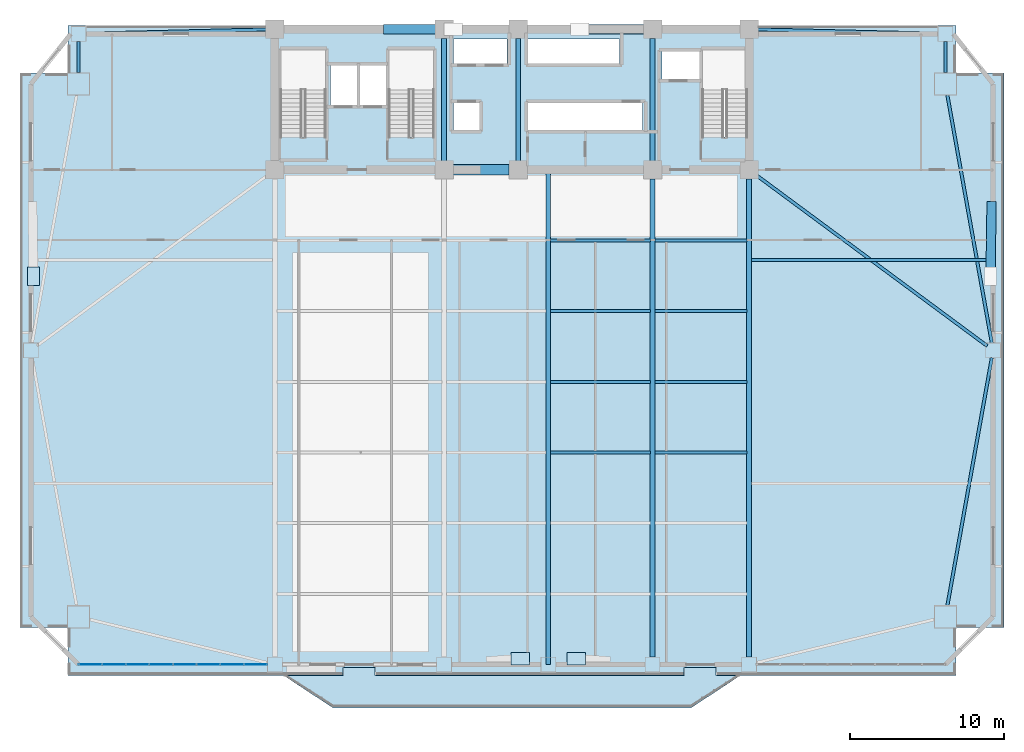
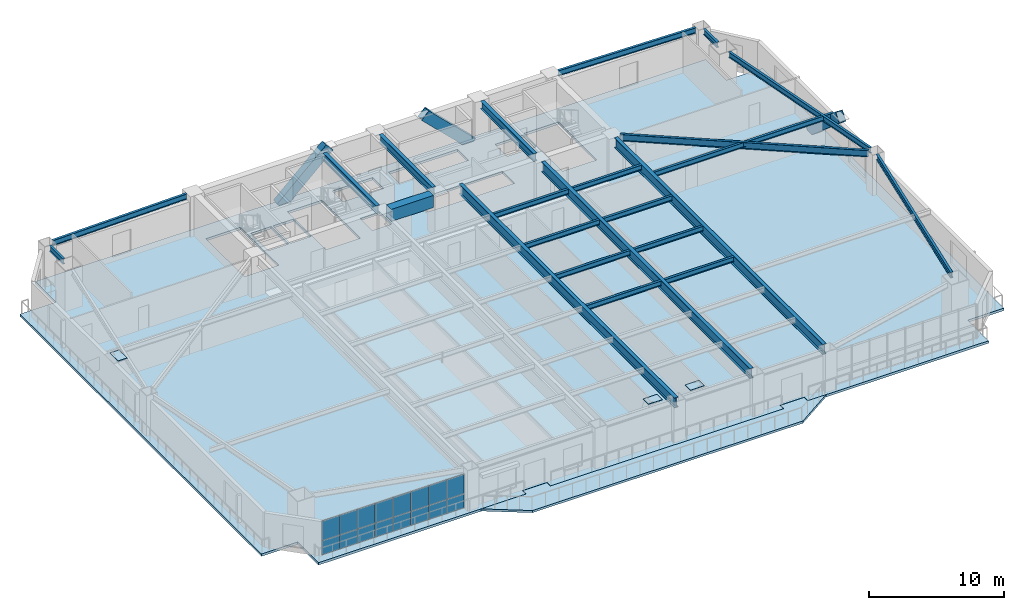
# One storey, part 6 of 16: 23 beams, 19 plates, 3 members, 2 slabs, 1 element without a shape of its own.
"""IFC4 building model written with IfcOpenShell, lengths in metres."""

import ifcopenshell
import ifcopenshell.guid

model = None  # the IFC model being written
_history = None  # IfcOwnerHistory: only IFC2X3 demands one
_inside = {}  # id of a spatial element -> (the spatial element, [elements in it])
_under = {}  # id of a project, library or spatial element -> (it, [spatial elements below it])
_declared = {}  # id of a project -> (the project, [libraries it declares])
_typed = {}  # id of a type object -> (the type object, [elements of that type])
_made_of = {}  # id of a material, layer set ... -> (it, [elements and type objects made of it])


def new_model(schema):
    """Start an empty IFC model of exactly this schema.

    Asked for "IFC4X3", IfcOpenShell would pick the latest addendum, in which some entities
    have other attributes; the version numbers below select the first issue.
    IFC2X3 requires an IfcOwnerHistory on every rooted entity: one is made here for all.
    """
    global model, _history
    if schema == "IFC4X3":
        model = ifcopenshell.file(schema_version=(4, 3, 0, 0))
    else:
        model = ifcopenshell.file(schema=schema)
    _inside.clear()
    _under.clear()
    _declared.clear()
    _typed.clear()
    _made_of.clear()
    _history = None
    if model.schema == "IFC2X3":
        org = make("IfcOrganization", Name="unknown")
        user = make(
            "IfcPersonAndOrganization",
            ThePerson=make("IfcPerson", FamilyName="unknown"),
            TheOrganization=org,
        )
        app = make(
            "IfcApplication",
            ApplicationDeveloper=org,
            Version="unknown",
            ApplicationFullName="unknown",
            ApplicationIdentifier="unknown",
        )
        _history = make(
            "IfcOwnerHistory",
            OwningUser=user,
            OwningApplication=app,
            ChangeAction="ADDED",
            CreationDate=0,
        )
    return model


def make(cls, **values):
    """One entity of the class cls with the attributes given. An attribute that is None is left unset."""
    return model.create_entity(
        cls, **{name: value for name, value in values.items() if value is not None}
    )


def rooted(cls, **values):
    """An entity with a GlobalId (a new one), such as an element, a storey or a relation."""
    return make(cls, GlobalId=ifcopenshell.guid.new(), OwnerHistory=_history, **values)


def si_unit(unit_type, name, prefix=None):
    """IfcSIUnit, for example si_unit("LENGTHUNIT", "METRE", prefix="MILLI")."""
    return make("IfcSIUnit", UnitType=unit_type, Prefix=prefix, Name=name)


def assignment(units):
    """IfcUnitAssignment: the units of a project."""
    return None if units is None else make("IfcUnitAssignment", Units=units)


def point(xyz):
    """IfcCartesianPoint."""
    return None if xyz is None else make("IfcCartesianPoint", Coordinates=xyz)


def direction(xyz):
    """IfcDirection."""
    return None if xyz is None else make("IfcDirection", DirectionRatios=xyz)


def frame(location, z_axis=None, x_axis=None):
    """IfcAxis2Placement3D, a coordinate frame: its origin and axes. An axis left out is left unset."""
    return make(
        "IfcAxis2Placement3D",
        Location=point(location),
        Axis=direction(z_axis),
        RefDirection=direction(x_axis),
    )


def frame_2d(location, x_axis=None):
    """IfcAxis2Placement2D, a coordinate frame in the plane: its origin and x axis."""
    return make(
        "IfcAxis2Placement2D", Location=point(location), RefDirection=direction(x_axis)
    )


def origin():
    """The frame at (0, 0, 0) with its axes left unset."""
    return frame((0.0, 0.0, 0.0))


def origin_2d():
    """The frame at (0, 0) in the plane with its x axis left unset."""
    return frame_2d((0.0, 0.0))


def place(relative_to, where):
    """IfcLocalPlacement: puts the frame where relative to a parent placement (None: the world)."""
    return make(
        "IfcLocalPlacement", PlacementRelTo=relative_to, RelativePlacement=where
    )


def context(
    kind, dimensions, precision=None, world=None, true_north=None, identifier=None
):
    """IfcGeometricRepresentationContext, for example the 3D "Model" context."""
    return make(
        "IfcGeometricRepresentationContext",
        ContextIdentifier=identifier,
        ContextType=kind,
        CoordinateSpaceDimension=dimensions,
        Precision=precision,
        WorldCoordinateSystem=world,
        TrueNorth=true_north,
    )


def subcontext(parent, identifier, kind, view, scale=None):
    """IfcGeometricRepresentationSubContext, for example "Body" below "Model"."""
    return make(
        "IfcGeometricRepresentationSubContext",
        ContextIdentifier=identifier,
        ContextType=kind,
        ParentContext=parent,
        TargetScale=scale,
        TargetView=view,
    )


def project(units=None, contexts=None):
    """IfcProject with its units and contexts."""
    return rooted(
        "IfcProject",
        Name="project",
        RepresentationContexts=contexts,
        UnitsInContext=assignment(units),
    )


def spatial(cls, under=None, at=None, **own):
    """A site, building, storey or space (cls), placed at a placement, below another one or the project."""
    s = rooted(cls, ObjectPlacement=at, **own)
    if under is not None:
        _under.setdefault(under.id(), (under, []))[1].append(s)
    return s


def polyline(points):
    """IfcPolyline through the points."""
    return make("IfcPolyline", Points=[point(p) for p in points])


def profile(cls, at=None, kind="AREA", **sizes):
    """A parametric profile (cls). Its sizes go by their IFC names, for example OverallWidth=200.0."""
    return make(cls, ProfileType=kind, Position=at, **sizes)


def rectangle(**sizes):
    """IfcRectangleProfileDef."""
    return profile("IfcRectangleProfileDef", **sizes)


def hollow_rectangle(**sizes):
    """IfcRectangleHollowProfileDef."""
    return profile("IfcRectangleHollowProfileDef", **sizes)


def i_section(**sizes):
    """IfcIShapeProfileDef."""
    return profile("IfcIShapeProfileDef", **sizes)


def outline(outer, holes=None, kind="AREA"):
    """IfcArbitraryClosedProfileDef: a profile drawn as a closed curve; with holes, ...WithVoids."""
    if holes is None:
        return make("IfcArbitraryClosedProfileDef", ProfileType=kind, OuterCurve=outer)
    return make(
        "IfcArbitraryProfileDefWithVoids",
        ProfileType=kind,
        OuterCurve=outer,
        InnerCurves=holes,
    )


def extrude(swept, where, along, depth):
    """IfcExtrudedAreaSolid: the profile swept, set in the frame where, extruded along a direction by depth."""
    return make(
        "IfcExtrudedAreaSolid",
        SweptArea=swept,
        Position=where,
        ExtrudedDirection=direction(along),
        Depth=depth,
    )


def shape(context_of_items, identifier, shape_type, items):
    """IfcShapeRepresentation: the items that make up one representation, for example the "Body"."""
    return make(
        "IfcShapeRepresentation",
        ContextOfItems=context_of_items,
        RepresentationIdentifier=identifier,
        RepresentationType=shape_type,
        Items=items,
    )


def source(mapping_origin, context_of_items, identifier, shape_type, items):
    """IfcRepresentationMap: a shape defined once, which mapped items show again and again."""
    return make(
        "IfcRepresentationMap",
        MappingOrigin=mapping_origin,
        MappedRepresentation=shape(context_of_items, identifier, shape_type, items),
    )


def transform(
    local_origin,
    x_axis=None,
    y_axis=None,
    z_axis=None,
    scale=None,
    scale2=None,
    scale3=None,
    uniform=True,
):
    """IfcCartesianTransformationOperator3D, or its non-uniform kind. x_axis, y_axis, z_axis: its Axis1, 2, 3."""
    if uniform:
        return make(
            "IfcCartesianTransformationOperator3D",
            Axis1=direction(x_axis),
            Axis2=direction(y_axis),
            LocalOrigin=point(local_origin),
            Scale=scale,
            Axis3=direction(z_axis),
        )
    return make(
        "IfcCartesianTransformationOperator3DnonUniform",
        Axis1=direction(x_axis),
        Axis2=direction(y_axis),
        LocalOrigin=point(local_origin),
        Scale=scale,
        Axis3=direction(z_axis),
        Scale2=scale2,
        Scale3=scale3,
    )


def mapped(mapping_source, mapping_target):
    """IfcMappedItem: shows the shape of a source again, moved by a transform."""
    return make(
        "IfcMappedItem", MappingSource=mapping_source, MappingTarget=mapping_target
    )


def material(Name=None, Category=None):
    """IfcMaterial."""
    return make("IfcMaterial", Name=Name, Category=Category)


def layer(
    of_material, thickness, ventilated=None, Name=None, Category=None, Priority=None
):
    """IfcMaterialLayer: one layer of a wall or slab, of a material (None: an air gap)."""
    return make(
        "IfcMaterialLayer",
        Material=of_material,
        LayerThickness=thickness,
        IsVentilated=ventilated,
        Name=Name,
        Category=Category,
        Priority=Priority,
    )


def layer_set(layers, Name=None):
    """IfcMaterialLayerSet."""
    return make("IfcMaterialLayerSet", MaterialLayers=layers, LayerSetName=Name)


def material_profile(
    of_material, cross_section, Name=None, Category=None, Priority=None
):
    """IfcMaterialProfile: a cross section and its material."""
    return make(
        "IfcMaterialProfile",
        Name=Name,
        Material=of_material,
        Profile=cross_section,
        Priority=Priority,
        Category=Category,
    )


def profile_set(profiles, Name=None, composite=None):
    """IfcMaterialProfileSet."""
    return make(
        "IfcMaterialProfileSet",
        Name=Name,
        MaterialProfiles=profiles,
        CompositeProfile=composite,
    )


def made_of(thing, what):
    """Note that an element or type object is made of a material, layer set ...; save() writes the relation."""
    if what is not None:
        _made_of.setdefault(what.id(), (what, []))[1].append(thing)
    return thing


def type_object(cls, material=None, **own):
    """A type object (cls), such as IfcWallType, which elements share."""
    return made_of(rooted(cls, **own), material)


def element(
    cls,
    number,
    at=None,
    inside=None,
    cuts=None,
    type_object=None,
    material=None,
    context=None,
    identifier="Body",
    shape_type=None,
    held_by="IfcProductDefinitionShape",
    body=None,
    shapes=None,
    **own,
):
    """One element of the class cls, such as IfcWall. Its Tag is "e" and its number.

    at: its placement. inside: the storey or other place that contains it. cuts: it is an
    opening in that element (IfcRelVoidsElement). A single representation is given by context,
    identifier, shape_type and body (its items); several are given by shapes. held_by: the class
    of the entity that holds the representations. save() writes the other relations.
    """
    e = rooted(cls, Tag="e%d" % number, ObjectPlacement=at, **own)
    if body is not None:
        shapes = [shape(context, identifier, shape_type, body)]
    if shapes is not None:
        e.Representation = make(held_by, Representations=shapes)
    if inside is not None:
        _inside.setdefault(inside.id(), (inside, []))[1].append(e)
    if cuts is not None:
        rooted(
            "IfcRelVoidsElement", RelatingBuildingElement=cuts, RelatedOpeningElement=e
        )
    if type_object is not None:
        _typed.setdefault(type_object.id(), (type_object, []))[1].append(e)
    return made_of(e, material)


def aggregate(whole, parts):
    """IfcRelAggregates: a whole, such as a stair, and the parts it consists of."""
    return rooted("IfcRelAggregates", RelatingObject=whole, RelatedObjects=parts)


def save(model, path):
    """Write the relations noted so far, then the file.

    IfcRelAggregates (storeys below a building ...), IfcRelContainedInSpatialStructure (elements
    in a storey), IfcRelDefinesByType, IfcRelAssociatesMaterial and IfcRelDeclares: one each for
    every whole, place, type object, material and project.
    """
    for whole, parts in _under.values():
        aggregate(whole, parts)
    for where, things in _inside.values():
        rooted(
            "IfcRelContainedInSpatialStructure",
            RelatedElements=things,
            RelatingStructure=where,
        )
    for kind, things in _typed.values():
        rooted("IfcRelDefinesByType", RelatedObjects=things, RelatingType=kind)
    for what, things in _made_of.values():
        rooted("IfcRelAssociatesMaterial", RelatedObjects=things, RelatingMaterial=what)
    for by, libraries in _declared.values():
        rooted("IfcRelDeclares", RelatingContext=by, RelatedDefinitions=libraries)
    model.write(path)


model = new_model("IFC4")

# Units and contexts
model_context = context("Model", 3, precision=1e-05, world=origin(), true_north=direction((0.0, 1.0)))
body_context = subcontext(model_context, "Body", "Model", "MODEL_VIEW")
ifc_project = project(units=[si_unit("LENGTHUNIT", "METRE"), si_unit("AREAUNIT", "SQUARE_METRE"), si_unit("VOLUMEUNIT", "CUBIC_METRE"), si_unit("PLANEANGLEUNIT", "RADIAN"), si_unit("MASSUNIT", "GRAM", prefix="KILO")], contexts=[model_context])

# Site, building, storey
site_placement = place(None, origin())
site = spatial("IfcSite", under=ifc_project, at=site_placement, CompositionType="ELEMENT")
building_placement = place(site_placement, origin())
building = spatial("IfcBuilding", under=site, at=building_placement, Name="Giltprow Tower", CompositionType="ELEMENT")
storey_placement = place(building_placement, frame((0.0, 0.0, 79.60009765625)))
storey = spatial("IfcBuildingStorey", under=building, at=storey_placement, Name="L19", CompositionType="ELEMENT", Elevation=79.60009765625)

# Beams
ifc_material_1 = material(Name="Concrete C60", Category="concrete")
ifc_material_profile_1 = material_profile(ifc_material_1, rectangle(XDim=0.699951171875, YDim=1.10009765625, at=origin_2d()), Name="RC 1100x700")
ifc_profile_set_1 = profile_set([ifc_material_profile_1], Name="Concrete C60")
beam_type_1 = type_object("IfcBeamType", Name="BM-CPL-RC1100", PredefinedType="LINTEL", material=ifc_profile_set_1)
shared_shape_1 = source(origin(), body_context, "Body", "SweptSolid", [
    extrude(rectangle(XDim=0.699951171875, YDim=1.10009765625, at=origin_2d()), origin(), (0.0, 0.0, 1.0), 3.6298828125),
])
beam_1_placement = place(storey_placement, frame((31.385009765625, 37.449951171875, 3.1298828125), z_axis=(1.0, 0.0, 0.0), x_axis=(0.0, 1.0, 0.0)))
element("IfcBeam", 1, at=beam_1_placement, inside=storey, type_object=beam_type_1, Name="L19 Core Coupling Beam CB-1", PredefinedType="LINTEL", context=body_context, shape_type="MappedRepresentation", body=[
    mapped(shared_shape_1, transform((0.0, 0.0, 0.0), x_axis=(1.0, 0.0, 0.0), y_axis=(0.0, 1.0, 0.0), z_axis=(0.0, 0.0, 1.0), scale=1.0)),
])
ifc_material_2 = material(Name="Structural steel Q355B", Category="steel")
ifc_material_profile_2 = material_profile(ifc_material_2, i_section(OverallWidth=0.300048828125, OverallDepth=0.699951171875, WebThickness=0.012939453125, FlangeThickness=0.02392578125, at=origin_2d()), Name="HN 700x300x13x24")
ifc_profile_set_2 = profile_set([ifc_material_profile_2], Name="Structural steel Q355B")
beam_type_2 = type_object("IfcBeamType", Name="BM-GIRD-HN700", PredefinedType="BEAM", material=ifc_profile_set_2)
shared_shape_2 = source(origin(), body_context, "Body", "SweptSolid", [
    extrude(i_section(OverallWidth=0.300048828125, OverallDepth=0.699951171875, WebThickness=0.012939453125, FlangeThickness=0.02392578125, at=origin_2d()), origin(), (0.0, 0.0, 1.0), 7.93017578125),
])
for number, where, z_axis, x_axis, name in (
    (2, (30.800048828125, 38.034912109375, 3.329833984375), (0.0, 1.0, 0.0), (-1.0, 0.0, 0.0), "L19 Core Tie Girder M1"),
    (3, (35.60009765625, 38.034912109375, 3.329833984375), (0.0, 1.0, 0.0), (-1.0, 0.0, 0.0), "L19 Core Tie Girder M2"),
    (4, (44.300048828125, 38.034912109375, 3.329833984375), (0.0, 1.0, 0.0), (-1.0, 0.0, 0.0), "L19 Core Tie Girder M3"),
):
    element("IfcBeam", number, at=place(storey_placement, frame(where, z_axis=z_axis, x_axis=x_axis)), inside=storey, type_object=beam_type_2, Name=name, PredefinedType="BEAM", context=body_context, shape_type="MappedRepresentation", body=[
        mapped(shared_shape_2, transform((0.0, 0.0, 0.0), x_axis=(1.0, 0.0, 0.0), y_axis=(0.0, 1.0, 0.0), z_axis=(0.0, 0.0, 1.0), scale=1.0)),
    ])
ifc_material_profile_3 = material_profile(ifc_material_2, i_section(OverallWidth=0.199951171875, OverallDepth=0.449951171875, WebThickness=0.009033203125, FlangeThickness=0.013916015625, at=origin_2d()), Name="HN 450x200x9x14")
ifc_profile_set_3 = profile_set([ifc_material_profile_3], Name="Structural steel Q355B")
beam_type_3 = type_object("IfcBeamType", Name="BM-JOIST-HN450", PredefinedType="JOIST", material=ifc_profile_set_3)
shared_shape_3 = source(origin(), body_context, "Body", "SweptSolid", [
    extrude(i_section(OverallWidth=0.199951171875, OverallDepth=0.449951171875, WebThickness=0.009033203125, FlangeThickness=0.013916015625, at=origin_2d()), origin(), (0.0, 0.0, 1.0), 6.4599609375),
])
for number, where, z_axis, x_axis, name in (
    (5, (37.695068359375, 19.14111328125, 3.454833984375), (1.0, 0.0, 0.0), (0.0, 1.0, 0.0), "L19 Composite Floor Joist 3-3"),
    (6, (37.695068359375, 23.718017578125, 3.454833984375), (1.0, 0.0, 0.0), (0.0, 1.0, 0.0), "L19 Composite Floor Joist 4-3"),
    (7, (37.695068359375, 28.294921875, 3.454833984375), (1.0, 0.0, 0.0), (0.0, 1.0, 0.0), "L19 Composite Floor Joist 5-3"),
    (8, (37.695068359375, 32.873046875, 3.454833984375), (1.0, 0.0, 0.0), (0.0, 1.0, 0.0), "L19 Composite Floor Joist 6-3"),
):
    element("IfcBeam", number, at=place(storey_placement, frame(where, z_axis=z_axis, x_axis=x_axis)), inside=storey, type_object=beam_type_3, Name=name, PredefinedType="JOIST", context=body_context, shape_type="MappedRepresentation", body=[
        mapped(shared_shape_3, transform((0.0, 0.0, 0.0), x_axis=(1.0, 0.0, 0.0), y_axis=(0.0, 1.0, 0.0), z_axis=(0.0, 0.0, 1.0), scale=1.0)),
    ])
shared_shape_4 = source(origin(), body_context, "Body", "SweptSolid", [
    extrude(i_section(OverallWidth=0.199951171875, OverallDepth=0.449951171875, WebThickness=0.009033203125, FlangeThickness=0.013916015625, at=origin_2d()), origin(), (0.0, 0.0, 1.0), 5.9599609375),
])
for number, where, z_axis, x_axis, name in (
    (9, (44.445068359375, 19.14111328125, 3.454833984375), (1.0, 0.0, 0.0), (0.0, 1.0, 0.0), "L19 Composite Floor Joist 3-4"),
    (10, (44.445068359375, 23.718017578125, 3.454833984375), (1.0, 0.0, 0.0), (0.0, 1.0, 0.0), "L19 Composite Floor Joist 4-4"),
    (11, (44.445068359375, 28.294921875, 3.454833984375), (1.0, 0.0, 0.0), (0.0, 1.0, 0.0), "L19 Composite Floor Joist 5-4"),
    (12, (44.445068359375, 32.873046875, 3.454833984375), (1.0, 0.0, 0.0), (0.0, 1.0, 0.0), "L19 Composite Floor Joist 6-4"),
):
    element("IfcBeam", number, at=place(storey_placement, frame(where, z_axis=z_axis, x_axis=x_axis)), inside=storey, type_object=beam_type_3, Name=name, PredefinedType="JOIST", context=body_context, shape_type="MappedRepresentation", body=[
        mapped(shared_shape_4, transform((0.0, 0.0, 0.0), x_axis=(1.0, 0.0, 0.0), y_axis=(0.0, 1.0, 0.0), z_axis=(0.0, 0.0, 1.0), scale=1.0)),
    ])
ifc_material_profile_4 = material_profile(ifc_material_2, i_section(OverallWidth=0.199951171875, OverallDepth=0.5, WebThickness=0.010009765625, FlangeThickness=0.01611328125, at=origin_2d()), Name="HN 500x200x10x16")
ifc_profile_set_4 = profile_set([ifc_material_profile_4], Name="Structural steel Q355B")
beam_type_4 = type_object("IfcBeamType", Name="BM-SPAN-HN500", PredefinedType="SPANDREL", material=ifc_profile_set_4)
shared_shape_5 = source(origin(), body_context, "Body", "SweptSolid", [
    extrude(i_section(OverallWidth=0.199951171875, OverallDepth=0.5, WebThickness=0.010009765625, FlangeThickness=0.01611328125, at=origin_2d()), origin(), (0.0, 0.0, 1.0), 16.306396484375),
])
beam_2_placement = place(storey_placement, frame((63.39501953125, 9.22802734375, 3.429931640625), z_axis=(0.176610878208, 0.984280751462, 0.0), x_axis=(-0.984280751462, 0.176610878208, 0.0)))
element("IfcBeam", 13, at=beam_2_placement, inside=storey, type_object=beam_type_4, Name="L19 Perimeter Spandrel Beam MC_SE-E_MID", PredefinedType="SPANDREL", context=body_context, shape_type="MappedRepresentation", body=[
    mapped(shared_shape_5, transform((0.0, 0.0, 0.0), x_axis=(1.0, 0.0, 0.0), y_axis=(0.0, 1.0, 0.0), z_axis=(0.0, 0.0, 1.0), scale=1.0)),
])
shared_shape_6 = source(origin(), body_context, "Body", "SweptSolid", [
    extrude(i_section(OverallWidth=0.199951171875, OverallDepth=0.5, WebThickness=0.010009765625, FlangeThickness=0.01611328125, at=origin_2d()), origin(), (0.0, 0.0, 1.0), 16.305419921875),
])
beam_3_placement = place(storey_placement, frame((66.27490234375, 26.23193359375, 3.429931640625), z_axis=(-0.176621289492, 0.984278883294, 0.0), x_axis=(-0.984278883294, -0.176621289492, 0.0)))
element("IfcBeam", 14, at=beam_3_placement, inside=storey, type_object=beam_type_4, Name="L19 Perimeter Spandrel Beam E_MID-MC_NE", PredefinedType="SPANDREL", context=body_context, shape_type="MappedRepresentation", body=[
    mapped(shared_shape_6, transform((0.0, 0.0, 0.0), x_axis=(1.0, 0.0, 0.0), y_axis=(0.0, 1.0, 0.0), z_axis=(0.0, 0.0, 1.0), scale=1.0)),
])
shared_shape_7 = source(origin(), body_context, "Body", "SweptSolid", [
    extrude(i_section(OverallWidth=0.199951171875, OverallDepth=0.5, WebThickness=0.010009765625, FlangeThickness=0.01611328125, at=origin_2d()), origin(), (0.0, 0.0, 1.0), 2.02587890625),
])
for number, where, z_axis, x_axis, name in (
    (15, (63.264892578125, 43.739013671875, 3.429931640625), (0.0, 1.0, 0.0), (-1.0, 0.0, 0.0), "L19 Perimeter Spandrel Beam MC_NE-N_E"),
    (16, (7.135986328125, 45.764892578125, 3.429931640625), (0.0, -1.0, 0.0), (1.0, 0.0, 0.0), "L19 Perimeter Spandrel Beam N_W-MC_NW"),
):
    element("IfcBeam", number, at=place(storey_placement, frame(where, z_axis=z_axis, x_axis=x_axis)), inside=storey, type_object=beam_type_4, Name=name, PredefinedType="SPANDREL", context=body_context, shape_type="MappedRepresentation", body=[
        mapped(shared_shape_7, transform((0.0, 0.0, 0.0), x_axis=(1.0, 0.0, 0.0), y_axis=(0.0, 1.0, 0.0), z_axis=(0.0, 0.0, 1.0), scale=1.0)),
    ])
shared_shape_8 = source(origin(), body_context, "Body", "SweptSolid", [
    extrude(i_section(OverallWidth=0.199951171875, OverallDepth=0.5, WebThickness=0.010009765625, FlangeThickness=0.01611328125, at=origin_2d()), origin(), (0.0, 0.0, 1.0), 11.64697265625),
])
beam_4_placement = place(storey_placement, frame((7.62109375, 46.260986328125, 3.429931640625), z_axis=(0.999721416114, 0.023602757523, 0.0), x_axis=(-0.023602757523, 0.999721416114, 0.0)))
element("IfcBeam", 17, at=beam_4_placement, inside=storey, type_object=beam_type_4, Name="L19 North Wing Spandrel W", PredefinedType="SPANDREL", context=body_context, shape_type="MappedRepresentation", body=[
    mapped(shared_shape_8, transform((0.0, 0.0, 0.0), x_axis=(1.0, 0.0, 0.0), y_axis=(0.0, 1.0, 0.0), z_axis=(0.0, 0.0, 1.0), scale=1.0)),
])
shared_shape_9 = source(origin(), body_context, "Body", "SweptSolid", [
    extrude(i_section(OverallWidth=0.199951171875, OverallDepth=0.5, WebThickness=0.010009765625, FlangeThickness=0.01611328125, at=origin_2d()), origin(), (0.0, 0.0, 1.0), 11.648193359375),
])
beam_5_placement = place(storey_placement, frame((51.135009765625, 46.535888671875, 3.429931640625), z_axis=(0.999721474492, -0.023600284714, 0.0), x_axis=(0.023600284714, 0.999721474492, 0.0)))
element("IfcBeam", 18, at=beam_5_placement, inside=storey, type_object=beam_type_4, Name="L19 North Wing Spandrel E", PredefinedType="SPANDREL", context=body_context, shape_type="MappedRepresentation", body=[
    mapped(shared_shape_9, transform((0.0, 0.0, 0.0), x_axis=(1.0, 0.0, 0.0), y_axis=(0.0, 1.0, 0.0), z_axis=(0.0, 0.0, 1.0), scale=1.0)),
])
ifc_material_profile_5 = material_profile(ifc_material_2, i_section(OverallWidth=0.300048828125, OverallDepth=0.89990234375, WebThickness=0.01611328125, FlangeThickness=0.028076171875, at=origin_2d()), Name="HN 900x300x16x28")
ifc_profile_set_5 = profile_set([ifc_material_profile_5], Name="Structural steel Q355B")
beam_type_5 = type_object("IfcBeamType", Name="BM-GIRD-HN900", PredefinedType="BEAM", material=ifc_profile_set_5)
shared_shape_10 = source(origin(), body_context, "Body", "SweptSolid", [
    extrude(i_section(OverallWidth=0.300048828125, OverallDepth=0.89990234375, WebThickness=0.01611328125, FlangeThickness=0.028076171875, at=origin_2d()), origin(), (0.0, 0.0, 1.0), 30.970947265625),
])
for number, where, z_axis, x_axis, name in (
    (19, (44.300048828125, 5.89404296875, 3.22998046875), (0.0, 1.0, 0.0), (-1.0, 0.0, 0.0), "L19 Primary Lease Girder S3"),
    (20, (50.550048828125, 5.89404296875, 3.22998046875), (0.0, 1.0, 0.0), (-1.0, 0.0, 0.0), "L19 Primary Lease Girder S4"),
):
    element("IfcBeam", number, at=place(storey_placement, frame(where, z_axis=z_axis, x_axis=x_axis)), inside=storey, type_object=beam_type_5, Name=name, PredefinedType="BEAM", context=body_context, shape_type="MappedRepresentation", body=[
        mapped(shared_shape_10, transform((0.0, 0.0, 0.0), x_axis=(1.0, 0.0, 0.0), y_axis=(0.0, 1.0, 0.0), z_axis=(0.0, 0.0, 1.0), scale=1.0)),
    ])
shared_shape_11 = source(origin(), body_context, "Body", "SweptSolid", [
    extrude(i_section(OverallWidth=0.300048828125, OverallDepth=0.89990234375, WebThickness=0.01611328125, FlangeThickness=0.028076171875, at=origin_2d()), origin(), (0.0, 0.0, 1.0), 32.041015625),
])
beam_6_placement = place(storey_placement, frame((37.550048828125, 5.408935546875, 3.22998046875), z_axis=(0.0, 1.0, 0.0), x_axis=(-1.0, 0.0, 0.0)))
element("IfcBeam", 21, at=beam_6_placement, inside=storey, type_object=beam_type_5, Name="L19 Central Lease Girder SMID", PredefinedType="BEAM", context=body_context, shape_type="MappedRepresentation", body=[
    mapped(shared_shape_11, transform((0.0, 0.0, 0.0), x_axis=(1.0, 0.0, 0.0), y_axis=(0.0, 1.0, 0.0), z_axis=(0.0, 0.0, 1.0), scale=1.0)),
])
ifc_material_profile_6 = material_profile(ifc_material_2, i_section(OverallWidth=0.199951171875, OverallDepth=0.60009765625, WebThickness=0.010986328125, FlangeThickness=0.01708984375, at=origin_2d()), Name="HN 600x200x11x17")
ifc_profile_set_6 = profile_set([ifc_material_profile_6], Name="Structural steel Q355B")
beam_type_6 = type_object("IfcBeamType", Name="BM-GIRD-HN600", PredefinedType="BEAM", material=ifc_profile_set_6)
shared_shape_12 = source(origin(), body_context, "Body", "SweptSolid", [
    extrude(i_section(OverallWidth=0.199951171875, OverallDepth=0.60009765625, WebThickness=0.010986328125, FlangeThickness=0.01708984375, at=origin_2d()), origin(), (0.0, 0.0, 1.0), 18.5966796875),
])
beam_7_placement = place(storey_placement, frame((65.970947265625, 26.04296875, 3.3798828125), z_axis=(-0.803960274963, 0.59468300487, 0.0), x_axis=(-0.59468300487, -0.803960274963, 0.0)))
element("IfcBeam", 22, at=beam_7_placement, inside=storey, type_object=beam_type_6, Name="L19 East Wing Primary Girder", PredefinedType="BEAM", context=body_context, shape_type="MappedRepresentation", body=[
    mapped(shared_shape_12, transform((0.0, 0.0, 0.0), x_axis=(1.0, 0.0, 0.0), y_axis=(0.0, 1.0, 0.0), z_axis=(0.0, 0.0, 1.0), scale=1.0)),
])
shared_shape_13 = source(origin(), body_context, "Body", "SweptSolid", [
    extrude(i_section(OverallWidth=0.199951171875, OverallDepth=0.449951171875, WebThickness=0.009033203125, FlangeThickness=0.013916015625, at=origin_2d()), origin(), (0.0, 0.0, 1.0), 15.446044921875),
])
beam_8_placement = place(storey_placement, frame((50.695068359375, 31.60205078125, 3.454833984375), z_axis=(1.0, 0.0, 0.0), x_axis=(0.0, 1.0, 0.0)))
element("IfcBeam", 23, at=beam_8_placement, inside=storey, type_object=beam_type_3, Name="L19 East Wing Floor Joist 2", PredefinedType="JOIST", context=body_context, shape_type="MappedRepresentation", body=[
    mapped(shared_shape_13, transform((0.0, 0.0, 0.0), x_axis=(1.0, 0.0, 0.0), y_axis=(0.0, 1.0, 0.0), z_axis=(0.0, 0.0, 1.0), scale=1.0)),
])

# Members
ifc_material_3 = material(Name="Structural steel Q420GJC", Category="steel")
ifc_material_profile_7 = material_profile(ifc_material_3, hollow_rectangle(XDim=0.60009765625, YDim=0.89990234375, WallThickness=0.0400390625, at=origin_2d()), Name="RHS 900x600x40")
ifc_profile_set_7 = profile_set([ifc_material_profile_7], Name="Structural steel Q420GJC")
member_type = type_object("IfcMemberType", Name="MBR-MEGA-RHS900", PredefinedType="BRACE", material=ifc_profile_set_7)
shared_shape_14 = source(origin(), body_context, "Body", "SweptSolid", [
    extrude(hollow_rectangle(XDim=0.60009765625, YDim=0.89990234375, WallThickness=0.0400390625, at=origin_2d()), origin(), (0.0, 0.0, 1.0), 5.73681640625),
])
member_1_placement = place(storey_placement, frame((27.18603515625, 46.550048828125, -0.14013671875), z_axis=(0.733348009192, 0.0, 0.679853438187), x_axis=(0.0, 1.0, 0.0)))
element("IfcMember", 24, at=member_1_placement, inside=storey, type_object=member_type, Name="L19 Chevron Mega-Brace N-L", PredefinedType="BRACE", context=body_context, shape_type="MappedRepresentation", body=[
    mapped(shared_shape_14, transform((0.0, 0.0, 0.0), x_axis=(1.0, 0.0, 0.0), y_axis=(0.0, 1.0, 0.0), z_axis=(0.0, 0.0, 1.0), scale=1.0)),
])
shared_shape_15 = source(origin(), body_context, "Body", "SweptSolid", [
    extrude(hollow_rectangle(XDim=0.60009765625, YDim=0.89990234375, WallThickness=0.0400390625, at=origin_2d()), origin(), (0.0, 0.0, 1.0), 5.582275390625),
])
member_2_placement = place(storey_placement, frame((43.5869140625, 46.550048828125, -0.14013671875), z_axis=(-0.715453960103, 0.0, 0.698659882184), x_axis=(0.0, -1.0, 0.0)))
element("IfcMember", 25, at=member_2_placement, inside=storey, type_object=member_type, Name="L19 Chevron Mega-Brace N-R", PredefinedType="BRACE", context=body_context, shape_type="MappedRepresentation", body=[
    mapped(shared_shape_15, transform((0.0, 0.0, 0.0), x_axis=(1.0, 0.0, 0.0), y_axis=(0.0, 1.0, 0.0), z_axis=(0.0, 0.0, 1.0), scale=1.0)),
])
shared_shape_16 = source(origin(), body_context, "Body", "SweptSolid", [
    extrude(hollow_rectangle(XDim=0.60009765625, YDim=0.89990234375, WallThickness=0.0400390625, at=origin_2d()), origin(), (0.0, 0.0, 1.0), 5.98388671875),
])
member_3_placement = place(storey_placement, frame((66.251953125, 35.093017578125, 0.0), z_axis=(-0.010526237957, -0.758378725333, 0.651729167122), x_axis=(0.999903687791, -0.013878585725, 0.0)))
element("IfcMember", 26, at=member_3_placement, inside=storey, type_object=member_type, Name="L19 Chevron Mega-Brace E-R", PredefinedType="BRACE", context=body_context, shape_type="MappedRepresentation", body=[
    mapped(shared_shape_16, transform((0.0, 0.0, 0.0), x_axis=(1.0, 0.0, 0.0), y_axis=(0.0, 1.0, 0.0), z_axis=(0.0, 0.0, 1.0), scale=1.0)),
])

# Slabs
ifc_material_4 = material(Name="Concrete C40", Category="concrete")
ifc_layer_1 = layer(ifc_material_4, 0.199951171875, Name="Concrete C40")
ifc_layer_set_1 = layer_set([ifc_layer_1], Name="Concrete C40")
slab_type_1 = type_object("IfcSlabType", Name="SLB-BALC-BRONZE-200", PredefinedType="FLOOR", material=ifc_layer_set_1)
slab_1_placement = place(storey_placement, frame((0.0, 0.0, -0.2001953125)))
element("IfcSlab", 27, at=slab_1_placement, inside=storey, type_object=slab_type_1, Name="L19 Bronze Prow Waterfront Balcony Slab", PredefinedType="FLOOR", context=body_context, shape_type="SweptSolid", body=[
    extrude(outline(polyline([(50.0, 4.708984375), (46.800048828125, 2.60888671875), (23.60009765625, 2.60888671875), (20.39990234375, 4.708984375), (24.280029296875, 4.708984375), (24.280029296875, 5.208984375), (26.320068359375, 5.208984375), (26.320068359375, 4.708984375), (46.3798828125, 4.708984375), (46.3798828125, 5.208984375), (48.419921875, 5.208984375), (48.419921875, 4.708984375), (50.0, 4.708984375)])), origin(), (0.0, 0.0, 1.0), 0.2001953125),
])
ifc_layer_2 = layer(ifc_material_4, 0.219970703125, Name="Concrete C40")
ifc_layer_set_2 = layer_set([ifc_layer_2], Name="Concrete C40")
slab_type_2 = type_object("IfcSlabType", Name="SLB-OFF-220", PredefinedType="FLOOR", material=ifc_layer_set_2)
slab_2_placement = place(storey_placement, frame((0.0, 0.0, -0.22021484375)))
element("IfcSlab", 28, at=slab_2_placement, inside=storey, type_object=slab_type_2, Name="L19 Structural Composite Floor Slab", PredefinedType="FLOOR", context=body_context, shape_type="SweptSolid", body=[
    extrude(outline(polyline([(6.43603515625, 4.708984375), (6.43603515625, 7.804931640625), (3.340087890625, 7.804931640625), (3.340087890625, 43.7041015625), (6.43603515625, 43.7041015625), (6.43603515625, 46.800048828125), (63.965087890625, 46.800048828125), (63.965087890625, 43.7041015625), (67.06103515625, 43.7041015625), (67.06103515625, 7.804931640625), (63.965087890625, 7.804931640625), (63.965087890625, 4.708984375), (48.449951171875, 4.708984375), (48.449951171875, 5.22900390625), (46.35009765625, 5.22900390625), (46.35009765625, 4.708984375), (26.35009765625, 4.708984375), (26.35009765625, 5.22900390625), (24.25, 5.22900390625), (24.25, 4.708984375), (6.43603515625, 4.708984375)]), holes=[polyline([(33.10009765625, 41.800048828125), (31.419921875, 41.800048828125), (31.419921875, 40.0), (33.10009765625, 40.0), (33.10009765625, 41.800048828125)]), polyline([(23.159912109375, 39.570068359375), (23.159912109375, 45.25), (20.199951171875, 45.25), (20.199951171875, 39.570068359375), (23.159912109375, 39.570068359375)]), polyline([(30.159912109375, 45.25), (27.199951171875, 45.25), (27.199951171875, 39.570068359375), (30.159912109375, 39.570068359375), (30.159912109375, 45.25)]), polyline([(25.169921875, 41.60009765625), (25.169921875, 44.199951171875), (23.449951171875, 44.199951171875), (23.449951171875, 41.60009765625), (25.169921875, 41.60009765625)]), polyline([(27.10009765625, 41.60009765625), (27.10009765625, 44.199951171875), (25.35009765625, 44.199951171875), (25.35009765625, 41.60009765625), (27.10009765625, 41.60009765625)]), polyline([(43.659912109375, 40.0), (43.659912109375, 41.800048828125), (36.239990234375, 41.800048828125), (36.239990234375, 40.0), (43.659912109375, 40.0)]), polyline([(50.4599609375, 39.570068359375), (50.4599609375, 45.25), (47.5, 45.25), (47.5, 39.570068359375), (50.4599609375, 39.570068359375)]), polyline([(47.3798828125, 45.10009765625), (44.919921875, 45.10009765625), (44.919921875, 43.300048828125), (47.3798828125, 43.300048828125), (47.3798828125, 45.10009765625)]), polyline([(34.8798828125, 44.300048828125), (34.8798828125, 45.919921875), (31.419921875, 45.919921875), (31.419921875, 44.300048828125), (34.8798828125, 44.300048828125)]), polyline([(42.169921875, 44.300048828125), (42.169921875, 45.919921875), (36.239990234375, 45.919921875), (36.239990234375, 44.300048828125), (42.169921875, 44.300048828125)])]), origin(), (0.0, 0.0, 1.0), 0.22021484375),
])

# Plates
plate_type_1 = type_object("IfcPlateType", Name="PLT-CAP-SEAL", PredefinedType="USERDEFINED", material=ifc_material_3)
shared_shape_17 = source(origin(), body_context, "Body", "SweptSolid", [
    extrude(rectangle(XDim=1.199951171875, YDim=0.800048828125, at=origin_2d()), origin(), (0.0, 0.0, 1.0), 0.034912109375),
])
for number, where, z_axis, x_axis, name in (
    (29, (35.7470703125, 5.794921875, 3.88232421875), (0.0, 0.0, 1.0), (1.0, 0.0, 0.0), "Mega-Brace Node L19-S-LB"),
    (30, (39.35302734375, 5.794921875, 3.88232421875), (0.0, 0.0, 1.0), (1.0, 0.0, 0.0), "Mega-Brace Node L19-S-RB"),
    (31, (4.2119140625, 30.554931640625, 3.88232421875), (0.0, 0.0, 1.0), (0.0, 1.0, 0.0), "Mega-Brace Node L19-W-RB"),
):
    element("IfcPlate", number, at=place(storey_placement, frame(where, z_axis=z_axis, x_axis=x_axis)), inside=storey, type_object=plate_type_1, Name=name, ObjectType="SPLICE", PredefinedType="USERDEFINED", context=body_context, shape_type="MappedRepresentation", body=[
        mapped(shared_shape_17, transform((0.0, 0.0, 0.0), x_axis=(1.0, 0.0, 0.0), y_axis=(0.0, 1.0, 0.0), z_axis=(0.0, 0.0, 1.0), scale=1.0)),
    ])

# Curtain wall, plates
ifc_material_5 = material(Name="Anodized bronze", Category="metal")
ifc_layer_3 = layer(ifc_material_5, 0.179931640625, Name="Anodized bronze")
ifc_layer_set_3 = layer_set([ifc_layer_3], Name="Anodized bronze")
curtain_wall_type = type_object("IfcCurtainWallType", Name="CW-OFF-RECESSED", PredefinedType="NOTDEFINED", material=ifc_layer_set_3)
curtain_wall_placement = place(storey_placement, origin())
curtain_wall = element("IfcCurtainWall", 32, at=curtain_wall_placement, inside=storey, type_object=curtain_wall_type, Name="L19 South Recessed Curtain Wall 1", PredefinedType="NOTDEFINED")
ifc_material_6 = material(Name="Insulated glass", Category="glass")
plate_type_2 = type_object("IfcPlateType", Name="CW-PANEL-IGU-28", PredefinedType="CURTAIN_PANEL", material=ifc_material_6)
shared_shape_18 = source(origin(), body_context, "Body", "SweptSolid", [
    extrude(rectangle(XDim=1.4970703125, YDim=0.028076171875, at=origin_2d()), origin(), (0.0, 0.0, 1.0), 1.259033203125),
])
plate_1_placement = place(storey_placement, frame((7.89892578125, 5.408935546875, 0.05419921875), z_axis=(0.0, 0.0, 1.0), x_axis=(1.0, 0.0, 0.0)))
plate_1 = element("IfcPlate", 33, at=plate_1_placement, type_object=plate_type_2, Name="L19 South Recessed Curtain Wall 1 Glazing Panel 1-1", PredefinedType="CURTAIN_PANEL", context=body_context, shape_type="MappedRepresentation", body=[
    mapped(shared_shape_18, transform((0.0, 0.0, 0.0), x_axis=(1.0, 0.0, 0.0), y_axis=(0.0, 1.0, 0.0), z_axis=(0.0, 0.0, 1.0), scale=1.0)),
])
plate_2_placement = place(storey_placement, frame((9.426025390625, 5.408935546875, 0.05419921875), z_axis=(0.0, 0.0, 1.0), x_axis=(1.0, 0.0, 0.0)))
plate_2 = element("IfcPlate", 34, at=plate_2_placement, type_object=plate_type_2, Name="L19 South Recessed Curtain Wall 1 Glazing Panel 2-1", PredefinedType="CURTAIN_PANEL", context=body_context, shape_type="MappedRepresentation", body=[
    mapped(shared_shape_18, transform((0.0, 0.0, 0.0), x_axis=(1.0, 0.0, 0.0), y_axis=(0.0, 1.0, 0.0), z_axis=(0.0, 0.0, 1.0), scale=1.0)),
])
plate_3_placement = place(storey_placement, frame((10.952880859375, 5.408935546875, 0.05419921875), z_axis=(0.0, 0.0, 1.0), x_axis=(1.0, 0.0, 0.0)))
plate_3 = element("IfcPlate", 35, at=plate_3_placement, type_object=plate_type_2, Name="L19 South Recessed Curtain Wall 1 Glazing Panel 3-1", PredefinedType="CURTAIN_PANEL", context=body_context, shape_type="MappedRepresentation", body=[
    mapped(shared_shape_18, transform((0.0, 0.0, 0.0), x_axis=(1.0, 0.0, 0.0), y_axis=(0.0, 1.0, 0.0), z_axis=(0.0, 0.0, 1.0), scale=1.0)),
])
plate_4_placement = place(storey_placement, frame((12.47998046875, 5.408935546875, 0.05419921875), z_axis=(0.0, 0.0, 1.0), x_axis=(1.0, 0.0, 0.0)))
plate_4 = element("IfcPlate", 36, at=plate_4_placement, type_object=plate_type_2, Name="L19 South Recessed Curtain Wall 1 Glazing Panel 4-1", PredefinedType="CURTAIN_PANEL", context=body_context, shape_type="MappedRepresentation", body=[
    mapped(shared_shape_18, transform((0.0, 0.0, 0.0), x_axis=(1.0, 0.0, 0.0), y_axis=(0.0, 1.0, 0.0), z_axis=(0.0, 0.0, 1.0), scale=1.0)),
])
plate_5_placement = place(storey_placement, frame((14.006103515625, 5.408935546875, 0.05419921875), z_axis=(0.0, 0.0, 1.0), x_axis=(1.0, 0.0, 0.0)))
plate_5 = element("IfcPlate", 37, at=plate_5_placement, type_object=plate_type_2, Name="L19 South Recessed Curtain Wall 1 Glazing Panel 5-1", PredefinedType="CURTAIN_PANEL", context=body_context, shape_type="MappedRepresentation", body=[
    mapped(shared_shape_18, transform((0.0, 0.0, 0.0), x_axis=(1.0, 0.0, 0.0), y_axis=(0.0, 1.0, 0.0), z_axis=(0.0, 0.0, 1.0), scale=1.0)),
])
plate_6_placement = place(storey_placement, frame((15.532958984375, 5.408935546875, 0.05419921875), z_axis=(0.0, 0.0, 1.0), x_axis=(1.0, 0.0, 0.0)))
plate_6 = element("IfcPlate", 38, at=plate_6_placement, type_object=plate_type_2, Name="L19 South Recessed Curtain Wall 1 Glazing Panel 6-1", PredefinedType="CURTAIN_PANEL", context=body_context, shape_type="MappedRepresentation", body=[
    mapped(shared_shape_18, transform((0.0, 0.0, 0.0), x_axis=(1.0, 0.0, 0.0), y_axis=(0.0, 1.0, 0.0), z_axis=(0.0, 0.0, 1.0), scale=1.0)),
])
plate_7_placement = place(storey_placement, frame((17.06005859375, 5.408935546875, 0.05419921875), z_axis=(0.0, 0.0, 1.0), x_axis=(1.0, 0.0, 0.0)))
plate_7 = element("IfcPlate", 39, at=plate_7_placement, type_object=plate_type_2, Name="L19 South Recessed Curtain Wall 1 Glazing Panel 7-1", PredefinedType="CURTAIN_PANEL", context=body_context, shape_type="MappedRepresentation", body=[
    mapped(shared_shape_18, transform((0.0, 0.0, 0.0), x_axis=(1.0, 0.0, 0.0), y_axis=(0.0, 1.0, 0.0), z_axis=(0.0, 0.0, 1.0), scale=1.0)),
])
plate_8_placement = place(storey_placement, frame((18.5869140625, 5.408935546875, 0.05419921875), z_axis=(0.0, 0.0, 1.0), x_axis=(1.0, 0.0, 0.0)))
plate_8 = element("IfcPlate", 40, at=plate_8_placement, type_object=plate_type_2, Name="L19 South Recessed Curtain Wall 1 Glazing Panel 8-1", PredefinedType="CURTAIN_PANEL", context=body_context, shape_type="MappedRepresentation", body=[
    mapped(shared_shape_18, transform((0.0, 0.0, 0.0), x_axis=(1.0, 0.0, 0.0), y_axis=(0.0, 1.0, 0.0), z_axis=(0.0, 0.0, 1.0), scale=1.0)),
])
shared_shape_19 = source(origin(), body_context, "Body", "SweptSolid", [
    extrude(rectangle(XDim=1.4970703125, YDim=0.028076171875, at=origin_2d()), origin(), (0.0, 0.0, 1.0), 1.764892578125),
])
plate_9_placement = place(storey_placement, frame((7.89892578125, 5.408935546875, 1.34033203125), z_axis=(0.0, 0.0, 1.0), x_axis=(1.0, 0.0, 0.0)))
plate_9 = element("IfcPlate", 41, at=plate_9_placement, type_object=plate_type_2, Name="L19 South Recessed Curtain Wall 1 Glazing Panel 1-2", PredefinedType="CURTAIN_PANEL", context=body_context, shape_type="MappedRepresentation", body=[
    mapped(shared_shape_19, transform((0.0, 0.0, 0.0), x_axis=(1.0, 0.0, 0.0), y_axis=(0.0, 1.0, 0.0), z_axis=(0.0, 0.0, 1.0), scale=1.0)),
])
plate_10_placement = place(storey_placement, frame((9.426025390625, 5.408935546875, 1.34033203125), z_axis=(0.0, 0.0, 1.0), x_axis=(1.0, 0.0, 0.0)))
plate_10 = element("IfcPlate", 42, at=plate_10_placement, type_object=plate_type_2, Name="L19 South Recessed Curtain Wall 1 Glazing Panel 2-2", PredefinedType="CURTAIN_PANEL", context=body_context, shape_type="MappedRepresentation", body=[
    mapped(shared_shape_19, transform((0.0, 0.0, 0.0), x_axis=(1.0, 0.0, 0.0), y_axis=(0.0, 1.0, 0.0), z_axis=(0.0, 0.0, 1.0), scale=1.0)),
])
plate_11_placement = place(storey_placement, frame((10.952880859375, 5.408935546875, 1.34033203125), z_axis=(0.0, 0.0, 1.0), x_axis=(1.0, 0.0, 0.0)))
plate_11 = element("IfcPlate", 43, at=plate_11_placement, type_object=plate_type_2, Name="L19 South Recessed Curtain Wall 1 Glazing Panel 3-2", PredefinedType="CURTAIN_PANEL", context=body_context, shape_type="MappedRepresentation", body=[
    mapped(shared_shape_19, transform((0.0, 0.0, 0.0), x_axis=(1.0, 0.0, 0.0), y_axis=(0.0, 1.0, 0.0), z_axis=(0.0, 0.0, 1.0), scale=1.0)),
])
plate_12_placement = place(storey_placement, frame((12.47998046875, 5.408935546875, 1.34033203125), z_axis=(0.0, 0.0, 1.0), x_axis=(1.0, 0.0, 0.0)))
plate_12 = element("IfcPlate", 44, at=plate_12_placement, type_object=plate_type_2, Name="L19 South Recessed Curtain Wall 1 Glazing Panel 4-2", PredefinedType="CURTAIN_PANEL", context=body_context, shape_type="MappedRepresentation", body=[
    mapped(shared_shape_19, transform((0.0, 0.0, 0.0), x_axis=(1.0, 0.0, 0.0), y_axis=(0.0, 1.0, 0.0), z_axis=(0.0, 0.0, 1.0), scale=1.0)),
])
plate_13_placement = place(storey_placement, frame((14.006103515625, 5.408935546875, 1.34033203125), z_axis=(0.0, 0.0, 1.0), x_axis=(1.0, 0.0, 0.0)))
plate_13 = element("IfcPlate", 45, at=plate_13_placement, type_object=plate_type_2, Name="L19 South Recessed Curtain Wall 1 Glazing Panel 5-2", PredefinedType="CURTAIN_PANEL", context=body_context, shape_type="MappedRepresentation", body=[
    mapped(shared_shape_19, transform((0.0, 0.0, 0.0), x_axis=(1.0, 0.0, 0.0), y_axis=(0.0, 1.0, 0.0), z_axis=(0.0, 0.0, 1.0), scale=1.0)),
])
plate_14_placement = place(storey_placement, frame((15.532958984375, 5.408935546875, 1.34033203125), z_axis=(0.0, 0.0, 1.0), x_axis=(1.0, 0.0, 0.0)))
plate_14 = element("IfcPlate", 46, at=plate_14_placement, type_object=plate_type_2, Name="L19 South Recessed Curtain Wall 1 Glazing Panel 6-2", PredefinedType="CURTAIN_PANEL", context=body_context, shape_type="MappedRepresentation", body=[
    mapped(shared_shape_19, transform((0.0, 0.0, 0.0), x_axis=(1.0, 0.0, 0.0), y_axis=(0.0, 1.0, 0.0), z_axis=(0.0, 0.0, 1.0), scale=1.0)),
])
plate_15_placement = place(storey_placement, frame((17.06005859375, 5.408935546875, 1.34033203125), z_axis=(0.0, 0.0, 1.0), x_axis=(1.0, 0.0, 0.0)))
plate_15 = element("IfcPlate", 47, at=plate_15_placement, type_object=plate_type_2, Name="L19 South Recessed Curtain Wall 1 Glazing Panel 7-2", PredefinedType="CURTAIN_PANEL", context=body_context, shape_type="MappedRepresentation", body=[
    mapped(shared_shape_19, transform((0.0, 0.0, 0.0), x_axis=(1.0, 0.0, 0.0), y_axis=(0.0, 1.0, 0.0), z_axis=(0.0, 0.0, 1.0), scale=1.0)),
])
plate_16_placement = place(storey_placement, frame((18.5869140625, 5.408935546875, 1.34033203125), z_axis=(0.0, 0.0, 1.0), x_axis=(1.0, 0.0, 0.0)))
plate_16 = element("IfcPlate", 48, at=plate_16_placement, type_object=plate_type_2, Name="L19 South Recessed Curtain Wall 1 Glazing Panel 8-2", PredefinedType="CURTAIN_PANEL", context=body_context, shape_type="MappedRepresentation", body=[
    mapped(shared_shape_19, transform((0.0, 0.0, 0.0), x_axis=(1.0, 0.0, 0.0), y_axis=(0.0, 1.0, 0.0), z_axis=(0.0, 0.0, 1.0), scale=1.0)),
])
aggregate(curtain_wall, [plate_1, plate_9, plate_2, plate_10, plate_3, plate_11, plate_4, plate_12, plate_5, plate_13, plate_6, plate_14, plate_7, plate_15, plate_8, plate_16])

save(model, "model.ifc")
